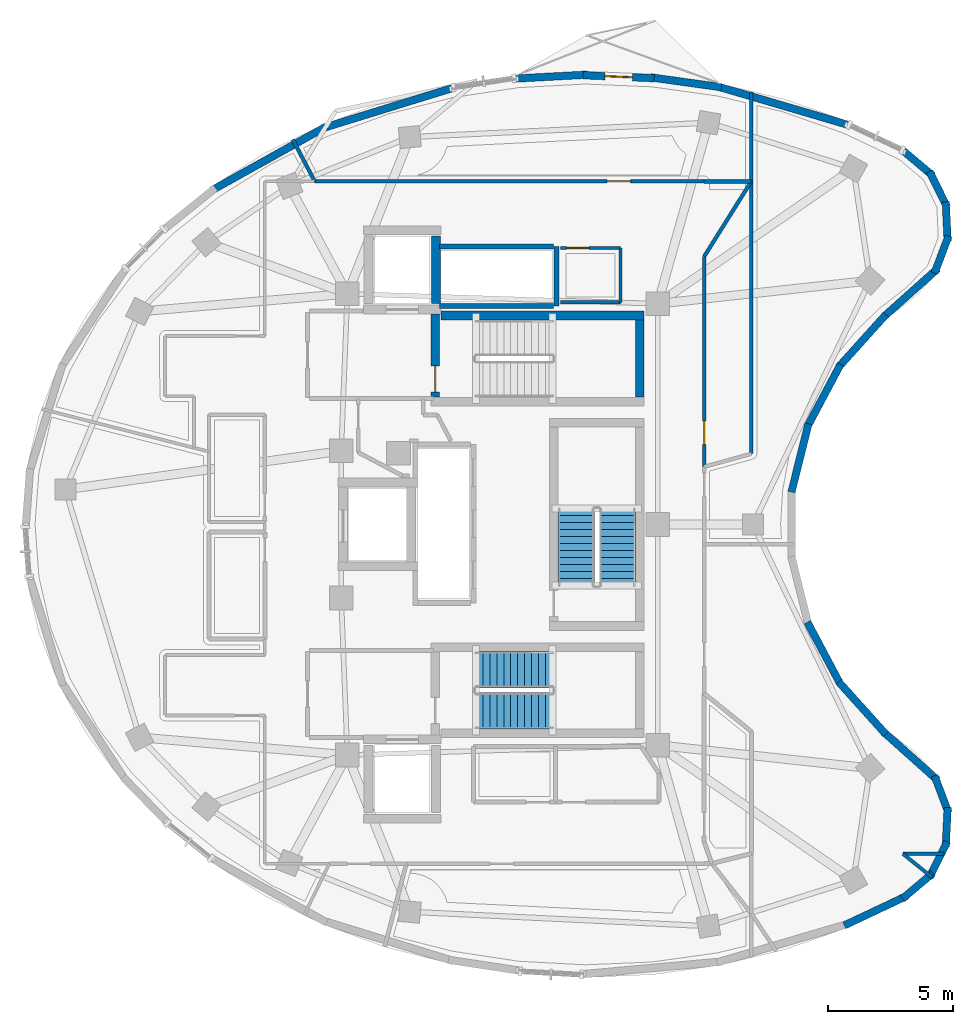
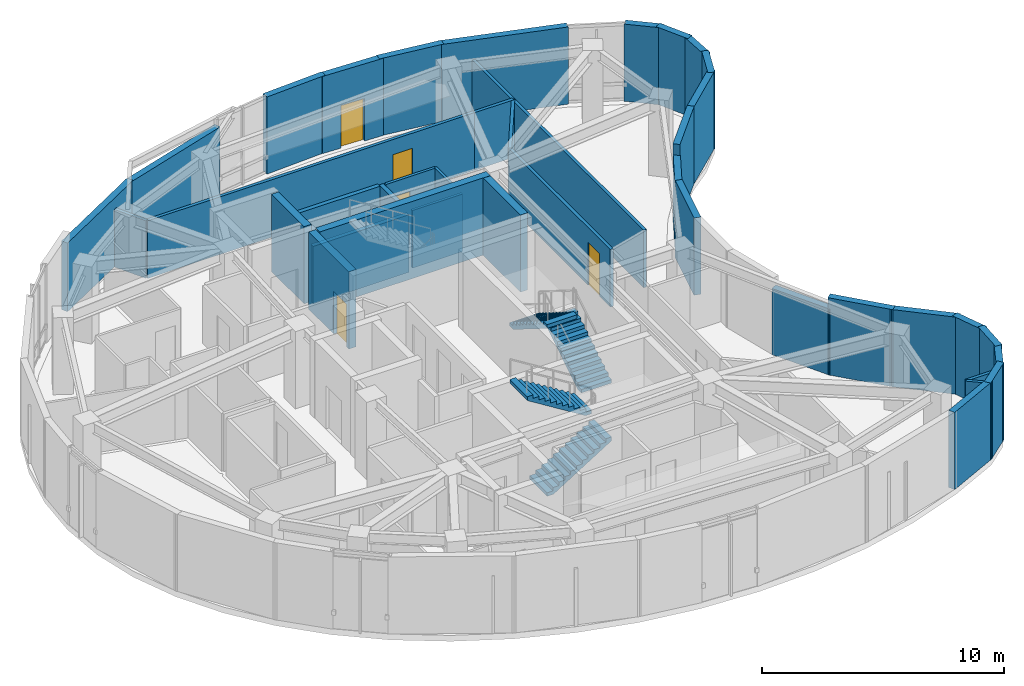
# One storey, part 6 of 10: 41 walls, 5 doors, 4 stair flights, 5 openings, 2 elements without a shape of their own.
"""IFC4 building model written with IfcOpenShell, lengths in metres."""

from ifc_helpers import new_model, si_unit, direction, frame, frame_2d, origin, place, context, subcontext, project, spatial, polyline, rectangle, outline, extrude, material, layer, layer_set, type_object, element, fill, aggregate, save


model = new_model("IFC4")

# Units and contexts
model_context = context("Model", 3, precision=1e-05, world=origin(), true_north=direction((0.0, 1.0)))
body_context = subcontext(model_context, "Body", "Model", "MODEL_VIEW")
ifc_project = project(units=[si_unit("LENGTHUNIT", "METRE"), si_unit("AREAUNIT", "SQUARE_METRE"), si_unit("VOLUMEUNIT", "CUBIC_METRE"), si_unit("PLANEANGLEUNIT", "RADIAN"), si_unit("MASSUNIT", "GRAM", prefix="KILO")], contexts=[model_context])

# Site, building, storey
site_placement = place(None, origin())
site = spatial("IfcSite", under=ifc_project, at=site_placement, CompositionType="ELEMENT")
building_placement = place(site_placement, origin())
building = spatial("IfcBuilding", under=site, at=building_placement, Name="Korentha Bioscience Tower", CompositionType="ELEMENT")
storey_placement = place(building_placement, frame((0.0, 0.0, 306.0)))
storey = spatial("IfcBuildingStorey", under=building, at=storey_placement, Name="L70", CompositionType="ELEMENT", Elevation=306.0)

# Wall, opening, door
ifc_material_1 = material(Name="Double-Stud Acoustic Gypsum", Category="gypsum")
ifc_layer_1 = layer(ifc_material_1, 0.14990234375, Name="Double-Stud Acoustic Gypsum")
ifc_layer_set_1 = layer_set([ifc_layer_1], Name="Double-Stud Acoustic Gypsum (IW-L150)")
wall_type_1 = type_object("IfcWallType", Name="Acoustic Laboratory Partition Wall 150", PredefinedType="PARTITIONING", material=ifc_layer_set_1)
wall_1_placement = place(storey_placement, frame((39.409912109375, 29.32177734375, 0.0), z_axis=(0.0, 0.0, 1.0), x_axis=(0.0, 1.0, 0.0)))
wall_1 = element("IfcWall", 1, at=wall_1_placement, inside=storey, type_object=wall_type_1, Name="L70 Fluorescence Confocal Microscopy Room 08 Entrance Wall", PredefinedType="PARTITIONING", context=body_context, shape_type="SweptSolid", body=[
    extrude(rectangle(XDim=8.42529296875, YDim=0.14990234375, at=frame_2d((4.212646484375, 0.0))), origin(), (0.0, 0.0, 1.0), 2.909912109375),
])
opening_1_placement = place(wall_1_placement, frame((0.880615234375, 0.0, 0.0)))
opening_1 = element("IfcOpeningElement", 2, at=opening_1_placement, cuts=wall_1, Name="Opening ID-10R", PredefinedType="OPENING", context=body_context, shape_type="SweptSolid", body=[
    extrude(rectangle(XDim=0.949951171875, YDim=2.14990234375, at=frame_2d((0.47509765625, 1.074951171875))), frame((0.0, 0.08984375, 0.0), z_axis=(0.0, -1.0, 0.0), x_axis=(1.0, 0.0, 0.0)), (0.0, 0.0, 1.0), 0.1796875),
])
ifc_material_2 = material(Name="Phenolic Laminate Timber Core", Category="wood")
door_type_1 = type_object("IfcDoorType", Name="Laboratory Single Leaf Door 950x2150 Right", OperationType="SINGLE_SWING_RIGHT", PredefinedType="DOOR", material=ifc_material_2)
door_1_placement = place(opening_1_placement, origin())
door_1 = element("IfcDoor", 3, at=door_1_placement, inside=storey, type_object=door_type_1, Name="L70 Fluorescence Confocal Microscopy Room 08 Door", OperationType="SINGLE_SWING_RIGHT", OverallHeight=2.14990234375, OverallWidth=0.949951171875, PredefinedType="DOOR", context=body_context, shape_type="SweptSolid", body=[
    extrude(rectangle(XDim=0.949951171875, YDim=2.14990234375, at=frame_2d((0.47509765625, 1.074951171875))), frame((0.0, 0.02490234375, 0.0), z_axis=(0.0, -1.0, 0.0), x_axis=(1.0, 0.0, 0.0)), (0.0, 0.0, 1.0), 0.050048828125),
])
fill(opening_1, door_1)

wall_2_placement = place(storey_placement, frame((39.39990234375, 40.760009765625, 0.0), z_axis=(0.0, 0.0, 1.0), x_axis=(-1.0, 0.0, 0.0)))
wall_2 = element("IfcWall", 4, at=wall_2_placement, inside=storey, type_object=wall_type_1, Name="L70 Incubator and Bioreactor Suite 09 Entrance Wall", PredefinedType="PARTITIONING", context=body_context, shape_type="SweptSolid", body=[
    extrude(rectangle(XDim=15.61083984375, YDim=0.14990234375, at=frame_2d((7.805419921875, 0.0))), origin(), (0.0, 0.0, 1.0), 2.909912109375),
])
opening_2_placement = place(wall_2_placement, frame((2.944091796875, 0.0, 0.0)))
opening_2 = element("IfcOpeningElement", 5, at=opening_2_placement, cuts=wall_2, Name="Opening ID-10L", PredefinedType="OPENING", context=body_context, shape_type="SweptSolid", body=[
    extrude(rectangle(XDim=0.949951171875, YDim=2.14990234375, at=frame_2d((0.47509765625, 1.074951171875))), frame((0.0, 0.08984375, 0.0), z_axis=(0.0, -1.0, 0.0), x_axis=(1.0, 0.0, 0.0)), (0.0, 0.0, 1.0), 0.1796875),
])
door_type_2 = type_object("IfcDoorType", Name="Laboratory Single Leaf Door 950x2150 Left", OperationType="SINGLE_SWING_LEFT", PredefinedType="DOOR", material=ifc_material_2)
door_2_placement = place(opening_2_placement, origin())
door_2 = element("IfcDoor", 6, at=door_2_placement, inside=storey, type_object=door_type_2, Name="L70 Incubator and Bioreactor Suite 09 Door", OperationType="SINGLE_SWING_LEFT", OverallHeight=2.14990234375, OverallWidth=0.949951171875, PredefinedType="DOOR", context=body_context, shape_type="SweptSolid", body=[
    extrude(rectangle(XDim=0.949951171875, YDim=2.14990234375, at=frame_2d((0.47509765625, 1.074951171875))), frame((0.0, 0.02490234375, 0.0), z_axis=(0.0, -1.0, 0.0), x_axis=(1.0, 0.0, 0.0)), (0.0, 0.0, 1.0), 0.050048828125),
])
fill(opening_2, door_2)

# Walls
wall_3_placement = place(storey_placement, frame((39.409912109375, 37.7470703125, 0.0), z_axis=(0.0, 0.0, 1.0), x_axis=(0.53106358892, 0.847331968312, 0.0)))
element("IfcWall", 7, at=wall_3_placement, inside=storey, type_object=wall_type_1, Name="L70 Interior Partition 058", PredefinedType="PARTITIONING", context=body_context, shape_type="SweptSolid", body=[
    extrude(rectangle(XDim=3.5439453125, YDim=0.14990234375, at=frame_2d((1.77197265625, 0.0))), origin(), (0.0, 0.0, 1.0), 2.909912109375),
])
wall_4_placement = place(storey_placement, frame((41.2919921875, 40.75, 0.0), z_axis=(0.0, 0.0, 1.0), x_axis=(-1.0, 0.0, 0.0)))
element("IfcWall", 8, at=wall_4_placement, inside=storey, type_object=wall_type_1, Name="L70 Interior Partition 059", PredefinedType="PARTITIONING", context=body_context, shape_type="SweptSolid", body=[
    extrude(rectangle(XDim=1.882080078125, YDim=0.14990234375, at=frame_2d((0.94091796875, 0.0))), origin(), (0.0, 0.0, 1.0), 2.909912109375),
])
wall_5_placement = place(storey_placement, frame((23.7890625, 40.760009765625, 0.0), z_axis=(0.0, 0.0, 1.0), x_axis=(-0.464828826697, 0.885400565773, 0.0)))
element("IfcWall", 9, at=wall_5_placement, inside=storey, type_object=wall_type_1, Name="L70 Interior Partition 061", PredefinedType="PARTITIONING", context=body_context, shape_type="SweptSolid", body=[
    extrude(rectangle(XDim=1.88671875, YDim=0.14990234375, at=frame_2d((0.943359375, 0.0))), origin(), (0.0, 0.0, 1.0), 2.909912109375),
])
ifc_material_3 = material(Name="Insulated Aluminium Honeycomb Panel", Category="aluminium")
ifc_layer_2 = layer(ifc_material_3, 0.139892578125, Name="Insulated Aluminium Honeycomb Panel")
ifc_layer_set_2 = layer_set([ifc_layer_2], Name="Insulated Aluminium Honeycomb Panel (IW-F60)")
wall_type_2 = type_object("IfcWallType", Name="Cleanroom Flush Metal Panel Partition 140", PredefinedType="PARTITIONING", material=ifc_layer_set_2)
wall_6_placement = place(storey_placement, frame((49.021240234375, 13.802001953125, 0.0), z_axis=(0.0, 0.0, 1.0), x_axis=(-1.0, 0.0, 0.0)))
element("IfcWall", 10, at=wall_6_placement, inside=storey, type_object=wall_type_2, Name="L70 Interior Partition 050", PredefinedType="PARTITIONING", context=body_context, shape_type="SweptSolid", body=[
    extrude(rectangle(XDim=1.645751953125, YDim=0.139892578125, at=frame_2d((0.82275390625, 0.0))), origin(), (0.0, 0.0, 1.0), 2.909912109375),
])
wall_7_placement = place(storey_placement, frame((47.373046875, 13.794921875, 0.0), z_axis=(0.0, 0.0, 1.0), x_axis=(0.778253035868, -0.627950803935, 0.0)))
element("IfcWall", 11, at=wall_7_placement, inside=storey, type_object=wall_type_2, Name="L70 Interior Partition 051", PredefinedType="PARTITIONING", context=body_context, shape_type="SweptSolid", body=[
    extrude(rectangle(XDim=1.515380859375, YDim=0.139892578125, at=frame_2d((0.7578125, 0.0))), origin(), (0.0, 0.0, 1.0), 2.909912109375),
])
wall_8_placement = place(storey_placement, frame((41.302001953125, 29.8369140625, 0.0), z_axis=(0.0, 0.0, 1.0), x_axis=(-0.000917225565, 0.999999579349, 0.0)))
element("IfcWall", 12, at=wall_8_placement, inside=storey, type_object=wall_type_2, Name="L70 Interior Partition 055", PredefinedType="PARTITIONING", context=body_context, shape_type="SweptSolid", body=[
    extrude(rectangle(XDim=10.9130859375, YDim=0.139892578125, at=frame_2d((5.45654296875, 0.0))), origin(), (0.0, 0.0, 1.0), 2.909912109375),
])
wall_9_placement = place(storey_placement, frame((41.2919921875, 40.75, 0.0), z_axis=(0.0, 0.0, 1.0), x_axis=(0.002780404281, 0.999996134669, 0.0)))
element("IfcWall", 13, at=wall_9_placement, inside=storey, type_object=wall_type_2, Name="L70 Interior Partition 056", PredefinedType="PARTITIONING", context=body_context, shape_type="SweptSolid", body=[
    extrude(rectangle(XDim=3.60009765625, YDim=0.139892578125, at=frame_2d((1.800048828125, 0.0))), origin(), (0.0, 0.0, 1.0), 2.909912109375),
])

# Wall, opening, door
ifc_material_4 = material(Name="Honed Limestone Precast Concrete C40", Category="masonry")
ifc_layer_3 = layer(ifc_material_4, 0.300048828125, Name="Honed Limestone Precast Concrete C40")
ifc_layer_set_3 = layer_set([ifc_layer_3], Name="Honed Limestone Precast Concrete C40 (EW-ST300)")
wall_type_3 = type_object("IfcWallType", Name="Honed Limestone Cavity Spandrel Wall 300", PredefinedType="STANDARD", material=ifc_layer_set_3)
wall_10_placement = place(storey_placement, frame((37.4033203125, 44.894775390625, 0.0), z_axis=(0.0, 0.0, 1.0), x_axis=(-0.999122802085, 0.041876322124, 0.0)))
wall_10 = element("IfcWall", 14, at=wall_10_placement, inside=storey, type_object=wall_type_3, Name="L70 Balcony Threshold Wall 01", PredefinedType="STANDARD", context=body_context, shape_type="SweptSolid", body=[
    extrude(rectangle(XDim=2.850830078125, YDim=0.300048828125, at=frame_2d((1.42529296875, 0.0))), origin(), (0.0, 0.0, 1.0), 3.89990234375),
])
opening_3_placement = place(wall_10_placement, frame((0.87548828125, 0.0, 0.0)))
opening_3 = element("IfcOpeningElement", 15, at=opening_3_placement, cuts=wall_10, Name="Opening BD-11L", PredefinedType="OPENING", context=body_context, shape_type="SweptSolid", body=[
    extrude(rectangle(XDim=1.10009765625, YDim=2.14990234375, at=frame_2d((0.550048828125, 1.074951171875))), frame((0.0, 0.1650390625, 0.0), z_axis=(0.0, -1.0, 0.0), x_axis=(1.0, 0.0, 0.0)), (0.0, 0.0, 1.0), 0.329833984375),
])
ifc_material_5 = material(Name="Thermally Broken Glazed Aluminium", Category="aluminium")
door_type_3 = type_object("IfcDoorType", Name="Balcony Terrace Glazed Door 1100x2150 Left", OperationType="SINGLE_SWING_LEFT", PredefinedType="DOOR", material=ifc_material_5)
door_3_placement = place(opening_3_placement, origin())
door_3 = element("IfcDoor", 16, at=door_3_placement, inside=storey, type_object=door_type_3, Name="L70 Balcony Access Door 01", OperationType="SINGLE_SWING_LEFT", OverallHeight=2.14990234375, OverallWidth=1.10009765625, PredefinedType="DOOR", context=body_context, shape_type="SweptSolid", body=[
    extrude(rectangle(XDim=1.10009765625, YDim=2.14990234375, at=frame_2d((0.550048828125, 1.074951171875))), frame((0.0, 0.02490234375, 0.0), z_axis=(0.0, -1.0, 0.0), x_axis=(1.0, 0.0, 0.0)), (0.0, 0.0, 1.0), 0.050048828125),
])
fill(opening_3, door_3)

# Walls
wall_11_placement = place(storey_placement, frame((45.19677734375, 43.018310546875, 0.0), z_axis=(0.0, 0.0, 1.0), x_axis=(-0.959276315934, 0.282469378321, 0.0)))
element("IfcWall", 17, at=wall_11_placement, inside=storey, type_object=wall_type_3, Name="L70 Limestone Perimeter Closure Wall 02", PredefinedType="STANDARD", context=body_context, shape_type="SweptSolid", body=[
    extrude(rectangle(XDim=5.495361328125, YDim=0.300048828125, at=frame_2d((2.74755859375, 0.0))), origin(), (0.0, 0.0, 1.0), 3.89990234375),
])
wall_12_placement = place(storey_placement, frame((40.101318359375, 44.532470703125, 0.0), z_axis=(0.0, 0.0, 1.0), x_axis=(-0.990425679684, 0.138046995703, 0.0)))
element("IfcWall", 18, at=wall_12_placement, inside=storey, type_object=wall_type_3, Name="L70 Limestone Perimeter Closure Wall 04", PredefinedType="STANDARD", context=body_context, shape_type="SweptSolid", body=[
    extrude(rectangle(XDim=2.87744140625, YDim=0.300048828125, at=frame_2d((1.438720703125, 0.0))), origin(), (0.0, 0.0, 1.0), 3.89990234375),
])
wall_13_placement = place(storey_placement, frame((34.708984375, 45.035888671875, 0.0), z_axis=(0.0, 0.0, 1.0), x_axis=(-0.998532534801, -0.054155119283, 0.0)))
element("IfcWall", 19, at=wall_13_placement, inside=storey, type_object=wall_type_3, Name="L70 Limestone Perimeter Closure Wall 06", PredefinedType="STANDARD", context=body_context, shape_type="SweptSolid", body=[
    extrude(rectangle(XDim=2.8896484375, YDim=0.300048828125, at=frame_2d((1.44482421875, 0.0))), origin(), (0.0, 0.0, 1.0), 3.89990234375),
])
wall_14_placement = place(storey_placement, frame((29.32958984375, 44.5048828125, 0.0), z_axis=(0.0, 0.0, 1.0), x_axis=(-0.955535200816, -0.29487705913, 0.0)))
element("IfcWall", 20, at=wall_14_placement, inside=storey, type_object=wall_type_3, Name="L70 Limestone Perimeter Closure Wall 08", PredefinedType="STANDARD", context=body_context, shape_type="SweptSolid", body=[
    extrude(rectangle(XDim=5.485107421875, YDim=0.300048828125, at=frame_2d((2.74267578125, 0.0))), origin(), (0.0, 0.0, 1.0), 3.469970703125),
])
wall_15_placement = place(storey_placement, frame((24.26171875, 42.961669921875, 0.0), z_axis=(0.0, 0.0, 1.0), x_axis=(-0.87350676692, -0.486812004932, 0.0)))
element("IfcWall", 21, at=wall_15_placement, inside=storey, type_object=wall_type_3, Name="L70 Limestone Perimeter Closure Wall 10", PredefinedType="STANDARD", context=body_context, shape_type="SweptSolid", body=[
    extrude(rectangle(XDim=5.281982421875, YDim=0.300048828125, at=frame_2d((2.64111328125, 0.0))), origin(), (0.0, 0.0, 1.0), 3.469970703125),
])
wall_16_placement = place(storey_placement, frame((45.027587890625, 10.917236328125, 0.0), z_axis=(0.0, 0.0, 1.0), x_axis=(0.904397474905, 0.426690997545, 0.0)))
element("IfcWall", 22, at=wall_16_placement, inside=storey, type_object=wall_type_3, Name="L70 Limestone Perimeter Closure Wall 36", PredefinedType="STANDARD", context=body_context, shape_type="SweptSolid", body=[
    extrude(rectangle(XDim=2.76123046875, YDim=0.300048828125, at=frame_2d((1.380615234375, 0.0))), origin(), (0.0, 0.0, 1.0), 3.89990234375),
])
for number, where, z_axis, x_axis, name in (
    (23, (47.361083984375, 11.990234375, 0.0), (0.0, 0.0, 1.0), (0.764911198117, 0.644135745783, 0.0), "L70 Limestone Perimeter Closure Wall 37"),
    (24, (48.444580078125, 12.845703125, 0.0), (0.0, 0.0, 1.0), (0.444199538262, 0.895927882258, 0.0), "L70 Limestone Perimeter Closure Wall 38"),
    (25, (49.096435546875, 14.0625, 0.0), (0.0, 0.0, 1.0), (0.04947778803, 0.998775224208, 0.0), "L70 Limestone Perimeter Closure Wall 39"),
    (26, (49.208251953125, 15.438232421875, 0.0), (0.0, 0.0, 1.0), (-0.353546976078, 0.935416771127, 0.0), "L70 Limestone Perimeter Closure Wall 40"),
):
    element("IfcWall", number, at=place(storey_placement, frame(where, z_axis=z_axis, x_axis=x_axis)), inside=storey, type_object=wall_type_3, Name=name, PredefinedType="STANDARD", context=body_context, shape_type="SweptSolid", body=[
        extrude(rectangle(XDim=1.5888671875, YDim=0.300048828125, at=frame_2d((0.79443359375, 0.0))), origin(), (0.0, 0.0, 1.0), 3.89990234375),
    ])
wall_17_placement = place(storey_placement, frame((48.772216796875, 16.74169921875, 0.0), z_axis=(0.0, 0.0, 1.0), x_axis=(-0.745805540728, 0.666163715178, 0.0)))
element("IfcWall", 27, at=wall_17_placement, inside=storey, type_object=wall_type_3, Name="L70 Limestone Perimeter Closure Wall 41", PredefinedType="STANDARD", context=body_context, shape_type="SweptSolid", body=[
    extrude(rectangle(XDim=2.91845703125, YDim=0.300048828125, at=frame_2d((1.459228515625, 0.0))), origin(), (0.0, 0.0, 1.0), 3.89990234375),
])
wall_18_placement = place(storey_placement, frame((46.697998046875, 18.583984375, 0.0), z_axis=(0.0, 0.0, 1.0), x_axis=(-0.66919836837, 0.743083806694, 0.0)))
element("IfcWall", 28, at=wall_18_placement, inside=storey, type_object=wall_type_3, Name="L70 Limestone Perimeter Closure Wall 43", PredefinedType="STANDARD", context=body_context, shape_type="SweptSolid", body=[
    extrude(rectangle(XDim=2.82861328125, YDim=0.300048828125, at=frame_2d((1.414306640625, 0.0))), origin(), (0.0, 0.0, 1.0), 3.89990234375),
])
wall_19_placement = place(storey_placement, frame((44.876708984375, 20.583740234375, 0.0), z_axis=(0.0, 0.0, 1.0), x_axis=(-0.469445489529, 0.882961455761, 0.0)))
element("IfcWall", 29, at=wall_19_placement, inside=storey, type_object=wall_type_3, Name="L70 Limestone Perimeter Closure Wall 45", PredefinedType="STANDARD", context=body_context, shape_type="SweptSolid", body=[
    extrude(rectangle(XDim=2.82861328125, YDim=0.300048828125, at=frame_2d((1.414306640625, 0.0))), origin(), (0.0, 0.0, 1.0), 3.342041015625),
])
wall_20_placement = place(storey_placement, frame((42.9091796875, 28.29052734375, 0.0), z_axis=(0.0, 0.0, 1.0), x_axis=(0.241926331659, 0.970294620231, 0.0)))
element("IfcWall", 30, at=wall_20_placement, inside=storey, type_object=wall_type_3, Name="L70 Limestone Perimeter Closure Wall 51", PredefinedType="STANDARD", context=body_context, shape_type="SweptSolid", body=[
    extrude(rectangle(XDim=2.82861328125, YDim=0.300048828125, at=frame_2d((1.414306640625, 0.0))), origin(), (0.0, 0.0, 1.0), 3.89990234375),
])
wall_21_placement = place(storey_placement, frame((43.548828125, 30.918701171875, 0.0), z_axis=(0.0, 0.0, 1.0), x_axis=(0.469445489529, 0.882961455761, 0.0)))
element("IfcWall", 31, at=wall_21_placement, inside=storey, type_object=wall_type_3, Name="L70 Limestone Perimeter Closure Wall 53", PredefinedType="STANDARD", context=body_context, shape_type="SweptSolid", body=[
    extrude(rectangle(XDim=2.82861328125, YDim=0.300048828125, at=frame_2d((1.414306640625, 0.0))), origin(), (0.0, 0.0, 1.0), 3.342041015625),
])
wall_22_placement = place(storey_placement, frame((44.80517578125, 33.314208984375, 0.0), z_axis=(0.0, 0.0, 1.0), x_axis=(0.66919836837, 0.743083806694, 0.0)))
element("IfcWall", 32, at=wall_22_placement, inside=storey, type_object=wall_type_3, Name="L70 Limestone Perimeter Closure Wall 55", PredefinedType="STANDARD", context=body_context, shape_type="SweptSolid", body=[
    extrude(rectangle(XDim=2.82861328125, YDim=0.300048828125, at=frame_2d((1.414306640625, 0.0))), origin(), (0.0, 0.0, 1.0), 3.89990234375),
])
wall_23_placement = place(storey_placement, frame((46.595703125, 35.314208984375, 0.0), z_axis=(0.0, 0.0, 1.0), x_axis=(0.745805540728, 0.666163715178, 0.0)))
element("IfcWall", 33, at=wall_23_placement, inside=storey, type_object=wall_type_3, Name="L70 Limestone Perimeter Closure Wall 57", PredefinedType="STANDARD", context=body_context, shape_type="SweptSolid", body=[
    extrude(rectangle(XDim=2.91845703125, YDim=0.300048828125, at=frame_2d((1.459228515625, 0.0))), origin(), (0.0, 0.0, 1.0), 3.89990234375),
])
for number, where, z_axis, x_axis, name in (
    (34, (48.646484375, 37.075439453125, 0.0), (0.0, 0.0, 1.0), (0.353546976078, 0.935416771127, 0.0), "L70 Limestone Perimeter Closure Wall 59"),
    (35, (49.175048828125, 38.3505859375, 0.0), (0.0, 0.0, 1.0), (-0.04947778803, 0.998775224208, 0.0), "L70 Limestone Perimeter Closure Wall 60"),
    (36, (49.150390625, 39.730712890625, 0.0), (0.0, 0.0, 1.0), (-0.444199538262, 0.895927882258, 0.0), "L70 Limestone Perimeter Closure Wall 61"),
    (37, (48.576416015625, 40.986328125, 0.0), (0.0, 0.0, 1.0), (-0.764911198117, 0.644135745783, 0.0), "L70 Limestone Perimeter Closure Wall 62"),
):
    element("IfcWall", number, at=place(storey_placement, frame(where, z_axis=z_axis, x_axis=x_axis)), inside=storey, type_object=wall_type_3, Name=name, PredefinedType="STANDARD", context=body_context, shape_type="SweptSolid", body=[
        extrude(rectangle(XDim=1.5888671875, YDim=0.300048828125, at=frame_2d((0.79443359375, 0.0))), origin(), (0.0, 0.0, 1.0), 3.89990234375),
    ])
ifc_material_6 = material(Name="Autoclaved Aerated Concrete Block C25", Category="concrete")
ifc_layer_4 = layer(ifc_material_6, 0.199951171875, Name="Autoclaved Aerated Concrete Block C25")
ifc_layer_set_4 = layer_set([ifc_layer_4], Name="Autoclaved Aerated Concrete Block C25 (IW-S200)")
wall_type_4 = type_object("IfcWallType", Name="Lift and Riser Shaft Enclosure Wall 200", PredefinedType="PARTITIONING", material=ifc_layer_set_4)
wall_24_placement = place(storey_placement, frame((33.489990234375, 35.760009765625, 0.0), z_axis=(0.0, 0.0, 1.0), x_axis=(0.0, 1.0, 0.0)))
element("IfcWall", 38, at=wall_24_placement, inside=storey, type_object=wall_type_4, Name="L70 Lift Bank OBS Shaft Wall +X", PredefinedType="PARTITIONING", context=body_context, shape_type="SweptSolid", body=[
    extrude(rectangle(XDim=2.3798828125, YDim=0.199951171875, at=frame_2d((1.18994140625, 0.0))), origin(), (0.0, 0.0, 1.0), 2.909912109375),
])
for number, where, z_axis, x_axis, name in (
    (39, (28.800048828125, 35.760009765625, 0.0), (0.0, 0.0, 1.0), (1.0, 0.0, 0.0), "L70 Lift Bank OBS Shaft Wall -Y"),
    (40, (28.800048828125, 38.139892578125, 0.0), (0.0, 0.0, 1.0), (1.0, 0.0, 0.0), "L70 Lift Bank OBS Shaft Wall +Y"),
):
    element("IfcWall", number, at=place(storey_placement, frame(where, z_axis=z_axis, x_axis=x_axis)), inside=storey, type_object=wall_type_4, Name=name, PredefinedType="PARTITIONING", context=body_context, shape_type="SweptSolid", body=[
        extrude(rectangle(XDim=4.570068359375, YDim=0.199951171875, at=frame_2d((2.28515625, 0.0))), origin(), (0.0, 0.0, 1.0), 2.909912109375),
    ])
ifc_material_7 = material(Name="Concrete C50", Category="concrete")
ifc_layer_5 = layer(ifc_material_7, 0.35009765625, Name="Concrete C50")
ifc_layer_set_5 = layer_set([ifc_layer_5], Name="Concrete C50 (CW-C50)")
wall_type_5 = type_object("IfcWallType", Name="Upper Core Shear Wall 350", PredefinedType="SHEAR", material=ifc_layer_set_5)
wall_25_placement = place(storey_placement, frame((28.85205078125, 35.375, 0.0), z_axis=(0.0, 0.0, 1.0), x_axis=(1.0, 0.0, 0.0)))
element("IfcWall", 41, at=wall_25_placement, inside=storey, type_object=wall_type_5, Name="L70 Core Shear Wall ST1-N", PredefinedType="SHEAR", context=body_context, shape_type="SweptSolid", body=[
    extrude(rectangle(XDim=8.14794921875, YDim=0.35009765625, at=frame_2d((4.073974609375, 0.0))), origin(), (0.0, 0.0, 1.0), 3.89990234375),
])
wall_26_placement = place(storey_placement, frame((36.824951171875, 32.110107421875, 0.0), z_axis=(0.0, 0.0, 1.0), x_axis=(0.0, 1.0, 0.0)))
element("IfcWall", 42, at=wall_26_placement, inside=storey, type_object=wall_type_5, Name="L70 Core Shear Wall ST1-E", PredefinedType="SHEAR", context=body_context, shape_type="SweptSolid", body=[
    extrude(rectangle(XDim=3.079833984375, YDim=0.35009765625, at=frame_2d((1.5400390625, 0.0))), origin(), (0.0, 0.0, 1.0), 3.89990234375),
])

# Wall, opening, door
wall_27_placement = place(storey_placement, frame((28.625, 32.110107421875, 0.0), z_axis=(0.0, 0.0, 1.0), x_axis=(0.0, 1.0, 0.0)))
wall_27 = element("IfcWall", 43, at=wall_27_placement, inside=storey, type_object=wall_type_5, Name="L70 Core Shear Wall ST1-W", PredefinedType="SHEAR", context=body_context, shape_type="SweptSolid", body=[
    extrude(rectangle(XDim=3.3330078125, YDim=0.35009765625, at=frame_2d((1.66650390625, 0.0))), origin(), (0.0, 0.0, 1.0), 3.89990234375),
])
opening_4_placement = place(wall_27_placement, frame((0.199951171875, 0.0, 0.0)))
opening_4 = element("IfcOpeningElement", 44, at=opening_4_placement, cuts=wall_27, Name="Opening FD-90L", PredefinedType="OPENING", context=body_context, shape_type="SweptSolid", body=[
    extrude(rectangle(XDim=1.050048828125, YDim=2.14990234375, at=frame_2d((0.52490234375, 1.074951171875))), frame((0.0, 0.18994140625, 0.0), z_axis=(0.0, -1.0, 0.0), x_axis=(1.0, 0.0, 0.0)), (0.0, 0.0, 1.0), 0.3798828125),
])
ifc_material_8 = material(Name="Powder-Coated Fire-Rated Steel", Category="steel")
door_type_4 = type_object("IfcDoorType", Name="Stairwell Fire Exit Door 1050x2150 Left", OperationType="SINGLE_SWING_LEFT", PredefinedType="DOOR", material=ifc_material_8)
door_4_placement = place(opening_4_placement, origin())
door_4 = element("IfcDoor", 45, at=door_4_placement, inside=storey, type_object=door_type_4, Name="L70 ST-1 Fire Exit Stair Door", OperationType="SINGLE_SWING_LEFT", OverallHeight=2.14990234375, OverallWidth=1.050048828125, PredefinedType="DOOR", context=body_context, shape_type="SweptSolid", body=[
    extrude(rectangle(XDim=1.050048828125, YDim=2.14990234375, at=frame_2d((0.52490234375, 1.074951171875))), frame((0.0, 0.02490234375, 0.0), z_axis=(0.0, -1.0, 0.0), x_axis=(1.0, 0.0, 0.0)), (0.0, 0.0, 1.0), 0.050048828125),
])
fill(opening_4, door_4)

# Wall
wall_28_placement = place(storey_placement, frame((28.64990234375, 35.860107421875, 0.0), z_axis=(0.0, 0.0, 1.0), x_axis=(0.0, 1.0, 0.0)))
element("IfcWall", 46, at=wall_28_placement, inside=storey, type_object=wall_type_5, Name="L70 Core Shear Wall FFL2-E", PredefinedType="SHEAR", context=body_context, shape_type="SweptSolid", body=[
    extrude(rectangle(XDim=2.699951171875, YDim=0.35009765625, at=frame_2d((1.35009765625, 0.0))), origin(), (0.0, 0.0, 1.0), 3.89990234375),
])

# Wall, opening, door
ifc_material_9 = material(Name="Cement-Board Steel Stud", Category="steel")
ifc_layer_6 = layer(ifc_material_9, 0.1298828125, Name="Cement-Board Steel Stud")
ifc_layer_set_6 = layer_set([ifc_layer_6], Name="Cement-Board Steel Stud (IW-W130)")
wall_type_6 = type_object("IfcWallType", Name="Wet-Area Moisture-Resistant Partition 130", PredefinedType="PARTITIONING", material=ifc_layer_set_6)
wall_29_placement = place(storey_placement, frame((33.64990234375, 38.090087890625, 0.0), z_axis=(0.0, 0.0, 1.0), x_axis=(1.0, 0.0, 0.0)))
wall_29 = element("IfcWall", 47, at=wall_29_placement, inside=storey, type_object=wall_type_6, Name="L70 Accessible Staff WC Entrance Wall", PredefinedType="PARTITIONING", context=body_context, shape_type="SweptSolid", body=[
    extrude(rectangle(XDim=2.400146484375, YDim=0.1298828125, at=frame_2d((1.2001953125, 0.0))), origin(), (0.0, 0.0, 1.0), 2.909912109375),
])
opening_5_placement = place(wall_29_placement, frame((0.239990234375, 0.0, 0.0)))
opening_5 = element("IfcOpeningElement", 48, at=opening_5_placement, cuts=wall_29, Name="Opening ID-09R", PredefinedType="OPENING", context=body_context, shape_type="SweptSolid", body=[
    extrude(rectangle(XDim=0.89990234375, YDim=2.14990234375, at=frame_2d((0.449951171875, 1.074951171875))), frame((0.0, 0.079833984375, 0.0), z_axis=(0.0, -1.0, 0.0), x_axis=(1.0, 0.0, 0.0)), (0.0, 0.0, 1.0), 0.15966796875),
])
ifc_material_10 = material(Name="Moisture-Resistant HPL Leaf", Category="wood")
door_type_5 = type_object("IfcDoorType", Name="Restroom & Accessible WC Door 900x2150 Right", OperationType="SINGLE_SWING_RIGHT", PredefinedType="DOOR", material=ifc_material_10)
door_5_placement = place(opening_5_placement, origin())
door_5 = element("IfcDoor", 49, at=door_5_placement, inside=storey, type_object=door_type_5, Name="L70 Accessible Staff WC Door", OperationType="SINGLE_SWING_RIGHT", OverallHeight=2.14990234375, OverallWidth=0.89990234375, PredefinedType="DOOR", context=body_context, shape_type="SweptSolid", body=[
    extrude(rectangle(XDim=0.89990234375, YDim=2.14990234375, at=frame_2d((0.449951171875, 1.074951171875))), frame((0.0, 0.02490234375, 0.0), z_axis=(0.0, -1.0, 0.0), x_axis=(1.0, 0.0, 0.0)), (0.0, 0.0, 1.0), 0.050048828125),
])
fill(opening_5, door_5)

# Walls
wall_30_placement = place(storey_placement, frame((36.050048828125, 35.909912109375, 0.0), z_axis=(0.0, 0.0, 1.0), x_axis=(-1.0, 0.0, 0.0)))
element("IfcWall", 50, at=wall_30_placement, inside=storey, type_object=wall_type_6, Name="L70 Interior Partition 019", PredefinedType="PARTITIONING", context=body_context, shape_type="SweptSolid", body=[
    extrude(rectangle(XDim=2.400146484375, YDim=0.1298828125, at=frame_2d((1.2001953125, 0.0))), origin(), (0.0, 0.0, 1.0), 2.909912109375),
])
wall_31_placement = place(storey_placement, frame((36.050048828125, 38.090087890625, 0.0), z_axis=(0.0, 0.0, 1.0), x_axis=(0.0, -1.0, 0.0)))
element("IfcWall", 51, at=wall_31_placement, inside=storey, type_object=wall_type_6, Name="L70 Interior Partition 020", PredefinedType="PARTITIONING", context=body_context, shape_type="SweptSolid", body=[
    extrude(rectangle(XDim=2.18017578125, YDim=0.1298828125, at=frame_2d((1.090087890625, 0.0))), origin(), (0.0, 0.0, 1.0), 2.909912109375),
])

# Stair, stair flights
ifc_material_11 = material(Name="Precast Concrete C50", Category="concrete")
stair_type = type_object("IfcStairType", Name="Core Exit Dog-Leg Stair 1450", PredefinedType="HALF_TURN_STAIR", material=ifc_material_11)
stair_1_placement = place(storey_placement, origin())
stair_1 = element("IfcStair", 52, at=stair_1_placement, inside=storey, type_object=stair_type, Name="L70 Tower South Pressurized Exit Stair ST-2", PredefinedType="HALF_TURN_STAIR")
stair_flight_type = type_object("IfcStairFlightType", Name="Core Exit Dog-Leg Stair 1450 Flight", PredefinedType="STRAIGHT", material=ifc_material_11)
stair_flight_1_placement = place(storey_placement, frame((30.25, 19.52490234375, 0.0), z_axis=(0.0, 0.0, 1.0), x_axis=(1.0, 0.0, 0.0)))
stair_flight_1 = element("IfcStairFlight", 53, at=stair_flight_1_placement, type_object=stair_flight_type, Name="ST-2 flight 1", NumberOfRisers=12, NumberOfTreads=11, PredefinedType="STRAIGHT", RiserHeight=0.175, TreadLength=0.28, context=body_context, shape_type="SweptSolid", body=[
    extrude(outline(polyline([(0.0, 0.0), (0.0, 0.175048828125), (0.280029296875, 0.175048828125), (0.280029296875, 0.35009765625), (0.56005859375, 0.35009765625), (0.56005859375, 0.52490234375), (0.840087890625, 0.52490234375), (0.840087890625, 0.699951171875), (1.1201171875, 0.699951171875), (1.1201171875, 0.875), (1.39990234375, 0.875), (1.39990234375, 1.050048828125), (1.679931640625, 1.050048828125), (1.679931640625, 1.22509765625), (1.9599609375, 1.22509765625), (1.9599609375, 1.39990234375), (2.239990234375, 1.39990234375), (2.239990234375, 1.574951171875), (2.52001953125, 1.574951171875), (2.52001953125, 1.75), (2.800048828125, 1.75), (2.800048828125, 1.925048828125), (3.080078125, 1.925048828125), (3.080078125, 2.10009765625), (3.080078125, 1.736328125), (0.3017578125, 0.0), (0.0, 0.0)])), frame((0.0, 0.72509765625, 0.0), z_axis=(0.0, -1.0, 0.0), x_axis=(1.0, 0.0, 0.0)), (0.0, 0.0, 1.0), 1.449951171875),
])
stair_flight_2_placement = place(storey_placement, frame((33.330078125, 21.175048828125, 2.10009765625), z_axis=(0.0, 0.0, 1.0), x_axis=(-1.0, 0.0, 0.0)))
stair_flight_2 = element("IfcStairFlight", 54, at=stair_flight_2_placement, type_object=stair_flight_type, Name="ST-2 flight 2", NumberOfRisers=12, NumberOfTreads=11, PredefinedType="STRAIGHT", RiserHeight=0.175, TreadLength=0.28, context=body_context, shape_type="SweptSolid", body=[
    extrude(outline(polyline([(0.0, 0.0), (0.0, 0.175048828125), (0.280029296875, 0.175048828125), (0.280029296875, 0.35009765625), (0.56005859375, 0.35009765625), (0.56005859375, 0.52490234375), (0.840087890625, 0.52490234375), (0.840087890625, 0.699951171875), (1.1201171875, 0.699951171875), (1.1201171875, 0.875), (1.39990234375, 0.875), (1.39990234375, 1.050048828125), (1.679931640625, 1.050048828125), (1.679931640625, 1.22509765625), (1.9599609375, 1.22509765625), (1.9599609375, 1.39990234375), (2.239990234375, 1.39990234375), (2.239990234375, 1.574951171875), (2.52001953125, 1.574951171875), (2.52001953125, 1.75), (2.800048828125, 1.75), (2.800048828125, 1.925048828125), (3.080078125, 1.925048828125), (3.080078125, 2.10009765625), (3.080078125, 1.736328125), (0.3017578125, 0.0), (0.0, 0.0)])), frame((0.0, 0.72509765625, 0.0), z_axis=(0.0, -1.0, 0.0), x_axis=(1.0, 0.0, 0.0)), (0.0, 0.0, 1.0), 1.449951171875),
])
aggregate(stair_1, [stair_flight_1, stair_flight_2])

stair_2_placement = place(storey_placement, origin())
stair_2 = element("IfcStair", 55, at=stair_2_placement, inside=storey, type_object=stair_type, Name="L70 Tower Central Pressurized Exit Stair ST-3", PredefinedType="HALF_TURN_STAIR")
stair_flight_3_placement = place(storey_placement, frame((35.925048828125, 24.550048828125, 0.0), z_axis=(0.0, 0.0, 1.0), x_axis=(0.0, 1.0, 0.0)))
stair_flight_3 = element("IfcStairFlight", 56, at=stair_flight_3_placement, type_object=stair_flight_type, Name="ST-3 flight 1", NumberOfRisers=12, NumberOfTreads=11, PredefinedType="STRAIGHT", RiserHeight=0.175, TreadLength=0.28, context=body_context, shape_type="SweptSolid", body=[
    extrude(outline(polyline([(0.0, 0.0), (0.0, 0.175048828125), (0.280029296875, 0.175048828125), (0.280029296875, 0.35009765625), (0.56005859375, 0.35009765625), (0.56005859375, 0.52490234375), (0.840087890625, 0.52490234375), (0.840087890625, 0.699951171875), (1.1201171875, 0.699951171875), (1.1201171875, 0.875), (1.39990234375, 0.875), (1.39990234375, 1.050048828125), (1.679931640625, 1.050048828125), (1.679931640625, 1.22509765625), (1.9599609375, 1.22509765625), (1.9599609375, 1.39990234375), (2.239990234375, 1.39990234375), (2.239990234375, 1.574951171875), (2.52001953125, 1.574951171875), (2.52001953125, 1.75), (2.800048828125, 1.75), (2.800048828125, 1.925048828125), (3.080078125, 1.925048828125), (3.080078125, 2.10009765625), (3.080078125, 1.736328125), (0.3017578125, 0.0), (0.0, 0.0)])), frame((0.0, 0.72509765625, 0.0), z_axis=(0.0, -1.0, 0.0), x_axis=(1.0, 0.0, 0.0)), (0.0, 0.0, 1.0), 1.449951171875),
])
stair_flight_4_placement = place(storey_placement, frame((34.27490234375, 27.6298828125, 2.10009765625), z_axis=(0.0, 0.0, 1.0), x_axis=(0.0, -1.0, 0.0)))
stair_flight_4 = element("IfcStairFlight", 57, at=stair_flight_4_placement, type_object=stair_flight_type, Name="ST-3 flight 2", NumberOfRisers=12, NumberOfTreads=11, PredefinedType="STRAIGHT", RiserHeight=0.175, TreadLength=0.28, context=body_context, shape_type="SweptSolid", body=[
    extrude(outline(polyline([(0.0, 0.0), (0.0, 0.175048828125), (0.280029296875, 0.175048828125), (0.280029296875, 0.35009765625), (0.56005859375, 0.35009765625), (0.56005859375, 0.52490234375), (0.840087890625, 0.52490234375), (0.840087890625, 0.699951171875), (1.1201171875, 0.699951171875), (1.1201171875, 0.875), (1.39990234375, 0.875), (1.39990234375, 1.050048828125), (1.679931640625, 1.050048828125), (1.679931640625, 1.22509765625), (1.9599609375, 1.22509765625), (1.9599609375, 1.39990234375), (2.239990234375, 1.39990234375), (2.239990234375, 1.574951171875), (2.52001953125, 1.574951171875), (2.52001953125, 1.75), (2.800048828125, 1.75), (2.800048828125, 1.925048828125), (3.080078125, 1.925048828125), (3.080078125, 2.10009765625), (3.080078125, 1.736328125), (0.3017578125, 0.0), (0.0, 0.0)])), frame((0.0, 0.72509765625, 0.0), z_axis=(0.0, -1.0, 0.0), x_axis=(1.0, 0.0, 0.0)), (0.0, 0.0, 1.0), 1.449951171875),
])
aggregate(stair_2, [stair_flight_3, stair_flight_4])

save(model, "model.ifc")
